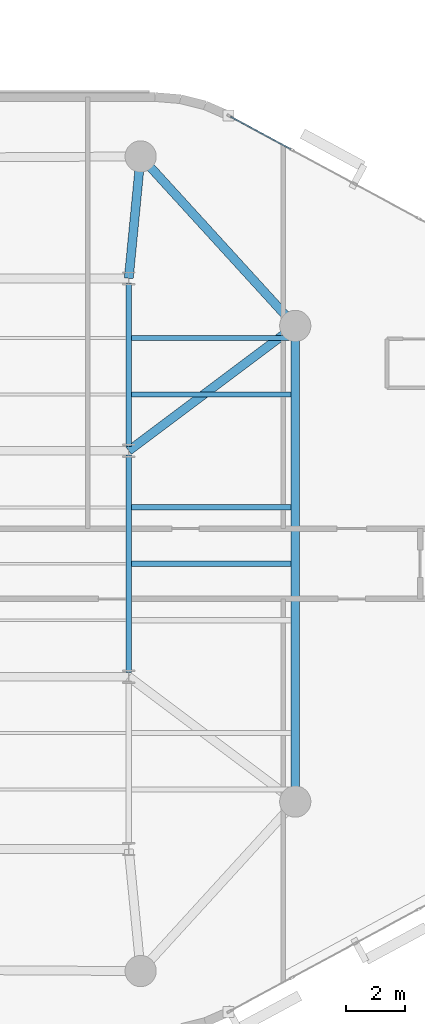
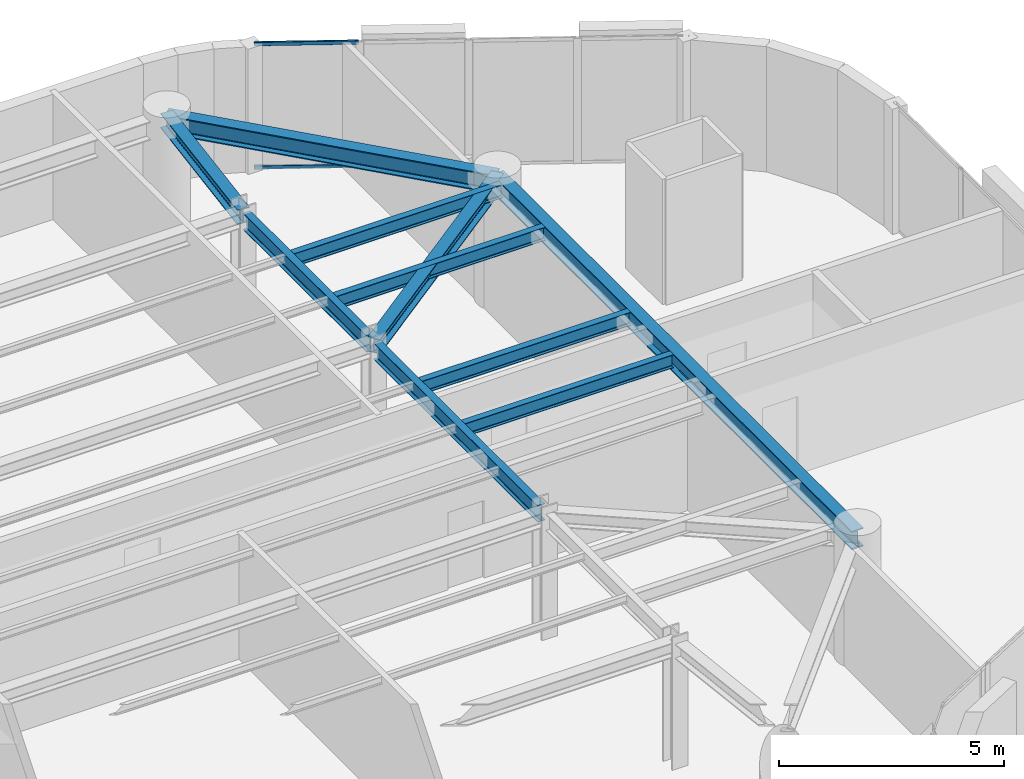
# One storey, part 5 of 13: 10 beams, 2 members, 1 element without a shape of its own.
"""IFC4 building model written with IfcOpenShell, lengths in metres."""

from ifc_helpers import new_model, si_unit, direction, frame, origin, origin_2d, place, context, subcontext, project, spatial, hollow_rectangle, i_section, extrude, material, layer, layer_set, material_profile, profile_set, type_object, element, aggregate, save


model = new_model("IFC4")

# Units and contexts
model_context = context("Model", 3, precision=1e-05, world=origin(), true_north=direction((0.0, 1.0)))
body_context = subcontext(model_context, "Body", "Model", "MODEL_VIEW")
ifc_project = project(units=[si_unit("LENGTHUNIT", "METRE"), si_unit("AREAUNIT", "SQUARE_METRE"), si_unit("VOLUMEUNIT", "CUBIC_METRE"), si_unit("PLANEANGLEUNIT", "RADIAN"), si_unit("MASSUNIT", "GRAM", prefix="KILO")], contexts=[model_context])

# Site, building, storey
site_placement = place(None, origin())
site = spatial("IfcSite", under=ifc_project, at=site_placement, CompositionType="ELEMENT")
building_placement = place(site_placement, origin())
building = spatial("IfcBuilding", under=site, at=building_placement, Name="An Khanh Terracotta Commons", CompositionType="ELEMENT")
storey_placement = place(building_placement, frame((0.0, 0.0, 204.89990234375)))
storey = spatial("IfcBuildingStorey", under=building, at=storey_placement, Name="L53", CompositionType="ELEMENT", Elevation=204.89990234375)

# Beams
ifc_material_1 = material(Name="Steel S355J2", Category="steel")
ifc_material_profile_1 = material_profile(ifc_material_1, i_section(OverallWidth=0.300048828125, OverallDepth=0.39990234375, WebThickness=0.013427734375, FlangeThickness=0.02392578125, FilletRadius=0.027099609375, at=origin_2d()), Name="HEB400")
ifc_profile_set_1 = profile_set([ifc_material_profile_1], Name="Steel S355J2")
beam_type_1 = type_object("IfcBeamType", Name="BM-HEB400", PredefinedType="BEAM", material=ifc_profile_set_1)
beam_1_placement = place(storey_placement, frame((59.60009765625, 32.0, 3.2001953125), z_axis=(-0.800008370399, -0.599988839305, 0.0), x_axis=(0.599988839305, -0.800008370399, 0.0)))
element("IfcBeam", 1, at=beam_1_placement, inside=storey, type_object=beam_type_1, Name="L53 Mega-Column Tie Girder 4", PredefinedType="BEAM", context=body_context, shape_type="SweptSolid", body=[
    extrude(i_section(OverallWidth=0.300048828125, OverallDepth=0.39990234375, WebThickness=0.013427734375, FlangeThickness=0.02392578125, FilletRadius=0.027099609375, at=origin_2d()), origin(), (0.0, 0.0, 1.0), 7.0),
])
beam_2_placement = place(storey_placement, frame((54.39990234375, 37.699951171875, 3.2001953125), z_axis=(-0.097079917443, -0.995276589511, 0.0), x_axis=(0.995276589511, -0.097079917443, 0.0)))
element("IfcBeam", 2, at=beam_2_placement, inside=storey, type_object=beam_type_1, Name="L53 Mega-Column Tie Girder 5", PredefinedType="BEAM", context=body_context, shape_type="SweptSolid", body=[
    extrude(i_section(OverallWidth=0.300048828125, OverallDepth=0.39990234375, WebThickness=0.013427734375, FlangeThickness=0.02392578125, FilletRadius=0.027099609375, at=origin_2d()), origin(), (0.0, 0.0, 1.0), 4.119384765625),
])
ifc_material_profile_2 = material_profile(ifc_material_1, i_section(OverallWidth=0.300048828125, OverallDepth=0.5, WebThickness=0.014404296875, FlangeThickness=0.028076171875, FilletRadius=0.027099609375, at=origin_2d()), Name="HEB500")
ifc_profile_set_2 = profile_set([ifc_material_profile_2], Name="Steel S355J2")
beam_type_2 = type_object("IfcBeamType", Name="BM-HEB500", PredefinedType="BEAM", material=ifc_profile_set_2)
beam_3_placement = place(storey_placement, frame((59.60009765625, 16.0, 3.150146484375), z_axis=(0.0, 1.0, 0.0), x_axis=(-1.0, 0.0, 0.0)))
element("IfcBeam", 3, at=beam_3_placement, inside=storey, type_object=beam_type_2, Name="L53 Perimeter Ring Spandrel 3", PredefinedType="BEAM", context=body_context, shape_type="SweptSolid", body=[
    extrude(i_section(OverallWidth=0.300048828125, OverallDepth=0.5, WebThickness=0.014404296875, FlangeThickness=0.028076171875, FilletRadius=0.027099609375, at=origin_2d()), origin(), (0.0, 0.0, 1.0), 16.0),
])
beam_4_placement = place(storey_placement, frame((59.60009765625, 32.0, 3.150146484375), z_axis=(-0.673978953902, 0.738750546326, 0.0), x_axis=(-0.738750546326, -0.673978953902, 0.0)))
element("IfcBeam", 4, at=beam_4_placement, inside=storey, type_object=beam_type_2, Name="L53 Perimeter Ring Spandrel 4", PredefinedType="BEAM", context=body_context, shape_type="SweptSolid", body=[
    extrude(i_section(OverallWidth=0.300048828125, OverallDepth=0.5, WebThickness=0.014404296875, FlangeThickness=0.028076171875, FilletRadius=0.027099609375, at=origin_2d()), origin(), (0.0, 0.0, 1.0), 7.715576171875),
])
ifc_material_profile_3 = material_profile(ifc_material_1, i_section(OverallWidth=0.169921875, OverallDepth=0.360107421875, WebThickness=0.008056640625, FlangeThickness=0.0126953125, FilletRadius=0.01806640625, at=origin_2d()), Name="IPE360")
ifc_profile_set_3 = profile_set([ifc_material_profile_3], Name="Steel S355J2")
beam_type_3 = type_object("IfcBeamType", Name="BM-IPE360", PredefinedType="JOIST", material=ifc_profile_set_3)
for number, where, z_axis, x_axis, name in (
    (5, (54.094970703125, 24.0, 3.22021484375), (1.0, 0.0, 0.0), (0.0, 1.0, 0.0), "L53 Riverfront Composite Joist 4"),
    (6, (54.094970703125, 25.89990234375, 3.22021484375), (1.0, 0.0, 0.0), (0.0, 1.0, 0.0), "L53 Riverfront Composite Joist 5"),
    (7, (54.094970703125, 29.699951171875, 3.22021484375), (1.0, 0.0, 0.0), (0.0, 1.0, 0.0), "L53 Riverfront Composite Joist 6"),
    (8, (54.094970703125, 31.60009765625, 3.22021484375), (1.0, 0.0, 0.0), (0.0, 1.0, 0.0), "L53 Riverfront Composite Joist 7"),
):
    element("IfcBeam", number, at=place(storey_placement, frame(where, z_axis=z_axis, x_axis=x_axis)), inside=storey, type_object=beam_type_3, Name=name, PredefinedType="JOIST", context=body_context, shape_type="SweptSolid", body=[
        extrude(i_section(OverallWidth=0.169921875, OverallDepth=0.360107421875, WebThickness=0.008056640625, FlangeThickness=0.0126953125, FilletRadius=0.01806640625, at=origin_2d()), origin(), (0.0, 0.0, 1.0), 5.35498046875),
    ])
ifc_material_profile_4 = material_profile(ifc_material_1, i_section(OverallWidth=0.18994140625, OverallDepth=0.449951171875, WebThickness=0.009521484375, FlangeThickness=0.0146484375, FilletRadius=0.02099609375, at=origin_2d()), Name="IPE450")
ifc_profile_set_4 = profile_set([ifc_material_profile_4], Name="Steel S355J2")
beam_type_4 = type_object("IfcBeamType", Name="BM-IPE450", PredefinedType="JOIST", material=ifc_profile_set_4)
beam_5_placement = place(storey_placement, frame((54.0, 20.35009765625, 3.175048828125), z_axis=(0.0, 1.0, 0.0), x_axis=(-1.0, 0.0, 0.0)))
element("IfcBeam", 9, at=beam_5_placement, inside=storey, type_object=beam_type_4, Name="L53 East Spine Girder 2", PredefinedType="JOIST", context=body_context, shape_type="SweptSolid", body=[
    extrude(i_section(OverallWidth=0.18994140625, OverallDepth=0.449951171875, WebThickness=0.009521484375, FlangeThickness=0.0146484375, FilletRadius=0.02099609375, at=origin_2d()), origin(), (0.0, 0.0, 1.0), 7.2998046875),
])
beam_6_placement = place(storey_placement, frame((54.0, 27.949951171875, 3.175048828125), z_axis=(0.0, 1.0, 0.0), x_axis=(-1.0, 0.0, 0.0)))
element("IfcBeam", 10, at=beam_6_placement, inside=storey, type_object=beam_type_4, Name="L53 East Spine Girder 3", PredefinedType="JOIST", context=body_context, shape_type="SweptSolid", body=[
    extrude(i_section(OverallWidth=0.18994140625, OverallDepth=0.449951171875, WebThickness=0.009521484375, FlangeThickness=0.0146484375, FilletRadius=0.02099609375, at=origin_2d()), origin(), (0.0, 0.0, 1.0), 5.5),
])

# Curtain wall, members
ifc_material_2 = material(Name="Anodised Aluminium 6063-T6", Category="aluminium")
ifc_layer = layer(ifc_material_2, 0.2099609375, Name="Anodised Aluminium 6063-T6")
ifc_layer_set = layer_set([ifc_layer], Name="Anodised Aluminium 6063-T6")
curtain_wall_type = type_object("IfcCurtainWallType", Name="CW-SYS-03", PredefinedType="USERDEFINED", material=ifc_layer_set)
curtain_wall_placement = place(storey_placement, origin())
curtain_wall = element("IfcCurtainWall", 11, at=curtain_wall_placement, inside=storey, type_object=curtain_wall_type, Name="L53 CW-03 Unitised Curtain Wall CW-L53-16", ObjectType="UNITISED CURTAIN WALL", PredefinedType="USERDEFINED")
ifc_material_profile_5 = material_profile(ifc_material_2, hollow_rectangle(XDim=0.050048828125, YDim=0.10009765625, WallThickness=0.003173828125, InnerFilletRadius=0.003173828125, OuterFilletRadius=0.00634765625, at=origin_2d()), Name="RHS100x50x3.2")
ifc_profile_set_5 = profile_set([ifc_material_profile_5], Name="Anodised Aluminium 6063-T6")
member_type = type_object("IfcMemberType", Name="CWT-RHS100x50x3.2", PredefinedType="USERDEFINED", material=ifc_profile_set_5)
member_1_placement = place(storey_placement, frame((59.455078125, 37.94140625, 0.025146484375), z_axis=(-0.879779245677, 0.475382455373, 0.0), x_axis=(-0.475382455373, -0.879779245677, 0.0)))
member_1 = element("IfcMember", 12, at=member_1_placement, type_object=member_type, Name="CW-03 transom 4.1", ObjectType="TRANSOM", PredefinedType="USERDEFINED", context=body_context, shape_type="SweptSolid", body=[
    extrude(hollow_rectangle(XDim=0.050048828125, YDim=0.10009765625, WallThickness=0.003173828125, InnerFilletRadius=0.003173828125, OuterFilletRadius=0.00634765625, at=origin_2d()), origin(), (0.0, 0.0, 1.0), 2.314697265625),
])
member_2_placement = place(storey_placement, frame((59.455078125, 37.94140625, 3.375), z_axis=(-0.879779245677, 0.475382455373, 0.0), x_axis=(-0.475382455373, -0.879779245677, 0.0)))
member_2 = element("IfcMember", 13, at=member_2_placement, type_object=member_type, Name="CW-03 transom 4.2", ObjectType="TRANSOM", PredefinedType="USERDEFINED", context=body_context, shape_type="SweptSolid", body=[
    extrude(hollow_rectangle(XDim=0.050048828125, YDim=0.10009765625, WallThickness=0.003173828125, InnerFilletRadius=0.003173828125, OuterFilletRadius=0.00634765625, at=origin_2d()), origin(), (0.0, 0.0, 1.0), 2.314697265625),
])
aggregate(curtain_wall, [member_1, member_2])

save(model, "model.ifc")
